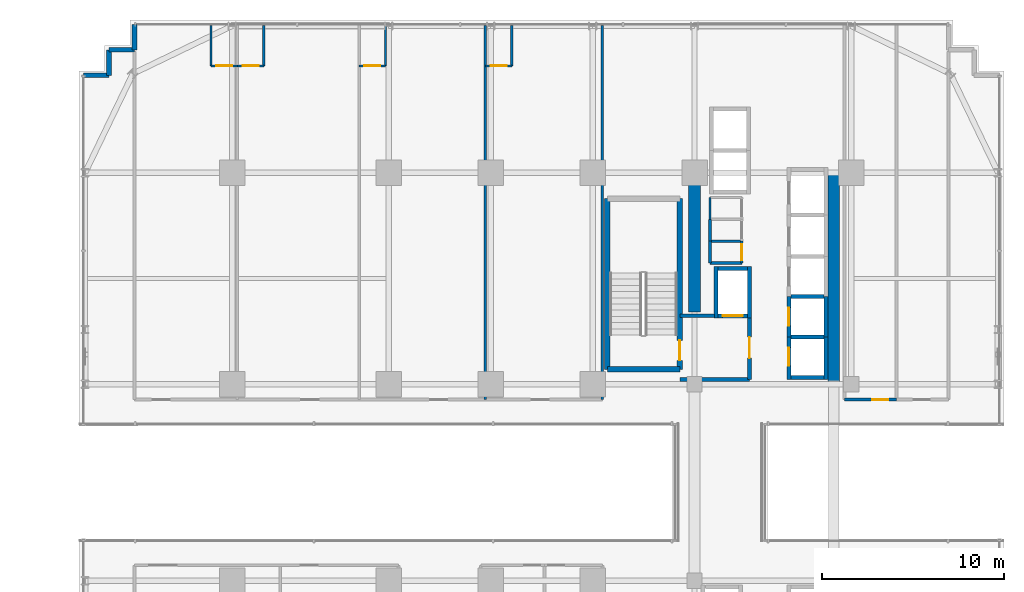
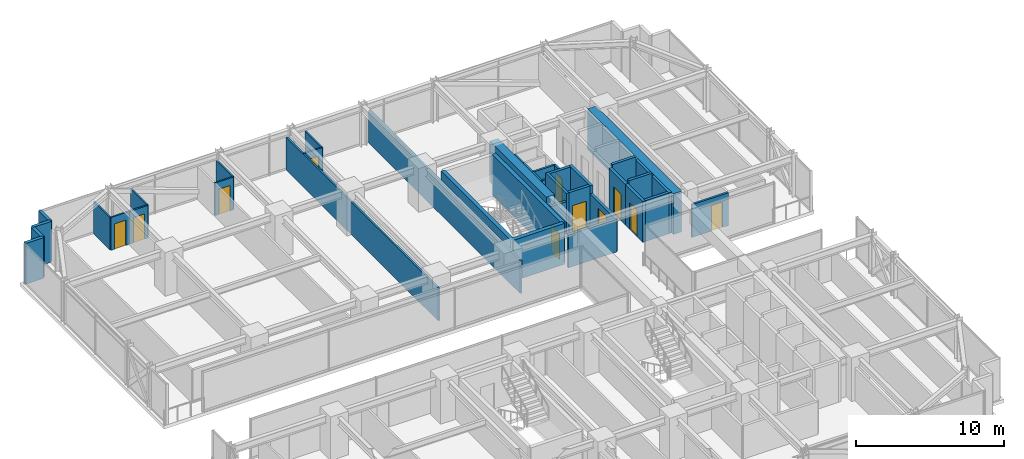
# One storey, part 33 of 37: 40 walls, 11 doors, 11 openings.
"""IFC4 building model written with IfcOpenShell, lengths in metres."""

from ifc_helpers import new_model, si_unit, direction, frame, frame_2d, origin, place, context, subcontext, project, spatial, rectangle, extrude, source, transform, mapped, material, layer, layer_set, type_object, element, fill, save


model = new_model("IFC4")

# Units and contexts
model_context = context("Model", 3, precision=1e-05, world=origin(), true_north=direction((0.0, 1.0)))
body_context = subcontext(model_context, "Body", "Model", "MODEL_VIEW")
ifc_project = project(units=[si_unit("LENGTHUNIT", "METRE"), si_unit("AREAUNIT", "SQUARE_METRE"), si_unit("VOLUMEUNIT", "CUBIC_METRE"), si_unit("PLANEANGLEUNIT", "RADIAN"), si_unit("MASSUNIT", "GRAM", prefix="KILO")], contexts=[model_context])

# Site, building, storey
site_placement = place(None, origin())
site = spatial("IfcSite", under=ifc_project, at=site_placement, CompositionType="ELEMENT")
building_placement = place(site_placement, origin())
building = spatial("IfcBuilding", under=site, at=building_placement, Name="Nahalor Promenade Grand Hotel", CompositionType="ELEMENT")
storey_placement = place(building_placement, frame((0.0, 0.0, 65.25)))
storey = spatial("IfcBuildingStorey", under=building, at=storey_placement, Name="L15", CompositionType="ELEMENT", Elevation=65.25)

# Walls
ifc_material_1 = material(Name="Concrete B-60 (C50/60)", Category="concrete")
ifc_layer_1 = layer(ifc_material_1, 0.64990234375)
ifc_layer_set_1 = layer_set([ifc_layer_1], Name="Concrete B-60 (C50/60)")
wall_type_1 = type_object("IfcWallType", Name="Wall-CoreShear-650", PredefinedType="SHEAR", material=ifc_layer_set_1)
shared_shape_1 = source(origin(), body_context, "Body", "SweptSolid", [
    extrude(rectangle(XDim=7.64990234375, YDim=0.64990234375, at=frame_2d((3.824951171875, 0.0))), origin(), (0.0, 0.0, 1.0), 3.3701171875),
])
wall_1_placement = place(storey_placement, frame((8.39990234375, 9.35009765625, 0.0), z_axis=(0.0, 0.0, 1.0), x_axis=(0.0, 1.0, 0.0)))
element("IfcWall", 1, at=wall_1_placement, inside=storey, type_object=wall_type_1, Name="CWALL-L15-NW", PredefinedType="SHEAR", context=body_context, shape_type="MappedRepresentation", body=[
    mapped(shared_shape_1, transform((0.0, 0.0, 0.0), scale=1.0)),
])
shared_shape_2 = source(origin(), body_context, "Body", "SweptSolid", [
    extrude(rectangle(XDim=11.60009765625, YDim=0.64990234375, at=frame_2d((5.800048828125, 0.0))), origin(), (0.0, 0.0, 1.0), 3.3701171875),
])
wall_2_placement = place(storey_placement, frame((16.050048828125, 5.39990234375, 0.0), z_axis=(0.0, 0.0, 1.0), x_axis=(0.0, 1.0, 0.0)))
element("IfcWall", 2, at=wall_2_placement, inside=storey, type_object=wall_type_1, Name="CWALL-L15-NE", PredefinedType="SHEAR", context=body_context, shape_type="MappedRepresentation", body=[
    mapped(shared_shape_2, transform((0.0, 0.0, 0.0), scale=1.0)),
])
ifc_material_2 = material(Name="Concrete B-50 (C40/50)", Category="concrete")
ifc_layer_2 = layer(ifc_material_2, 0.300048828125)
ifc_layer_set_2 = layer_set([ifc_layer_2], Name="Concrete B-50 (C40/50)")
wall_type_2 = type_object("IfcWallType", Name="Wall-ShaftShear-300", PredefinedType="SHEAR", material=ifc_layer_set_2)
shared_shape_3 = source(origin(), body_context, "Body", "SweptSolid", [
    extrude(rectangle(XDim=3.97998046875, YDim=0.300048828125, at=frame_2d((1.989990234375, 0.0))), origin(), (0.0, 0.0, 1.0), 3.3701171875),
])
wall_3_placement = place(storey_placement, frame((3.610107421875, 6.2099609375, 0.0), z_axis=(0.0, 0.0, 1.0), x_axis=(1.0, 0.0, 0.0)))
element("IfcWall", 3, at=wall_3_placement, inside=storey, type_object=wall_type_2, Name="L15 Exit Stair ST1 Shaft Wall S", PredefinedType="SHEAR", context=body_context, shape_type="MappedRepresentation", body=[
    mapped(shared_shape_3, transform((0.0, 0.0, 0.0), scale=1.0)),
])
shared_shape_4 = source(origin(), body_context, "Body", "SweptSolid", [
    extrude(rectangle(XDim=9.380126953125, YDim=0.300048828125, at=frame_2d((4.68994140625, 0.0))), origin(), (0.0, 0.0, 1.0), 3.3701171875),
])
wall_4_placement = place(storey_placement, frame((3.610107421875, 6.2099609375, 0.0), z_axis=(0.0, 0.0, 1.0), x_axis=(0.0, 1.0, 0.0)))
element("IfcWall", 4, at=wall_4_placement, inside=storey, type_object=wall_type_2, Name="L15 Exit Stair ST1 Shaft Wall W", PredefinedType="SHEAR", context=body_context, shape_type="MappedRepresentation", body=[
    mapped(shared_shape_4, transform((0.0, 0.0, 0.0), scale=1.0)),
])

# Wall, opening, door
wall_5_placement = place(storey_placement, frame((7.590087890625, 6.2099609375, 0.0), z_axis=(0.0, 0.0, 1.0), x_axis=(0.0, 1.0, 0.0)))
wall_5 = element("IfcWall", 5, at=wall_5_placement, inside=storey, type_object=wall_type_2, Name="L15 Exit Stair ST1 Shaft Wall E", PredefinedType="SHEAR", context=body_context, shape_type="MappedRepresentation", body=[
    mapped(shared_shape_4, transform((0.0, 0.0, 0.0), scale=1.0)),
])
opening_1_placement = place(wall_5_placement, frame((0.489990234375, 0.0, 0.0)))
opening_1 = element("IfcOpeningElement", 6, at=opening_1_placement, cuts=wall_5, Name="Opening D-ST1", PredefinedType="OPENING", context=body_context, shape_type="SweptSolid", body=[
    extrude(rectangle(XDim=1.10009765625, YDim=2.14990234375, at=frame_2d((0.550048828125, 1.074951171875))), frame((0.0, 0.159912109375, 0.0), z_axis=(0.0, -1.0, 0.0), x_axis=(1.0, 0.0, 0.0)), (0.0, 0.0, 1.0), 0.320068359375),
])
ifc_material_3 = material(Name="Steel S355JR", Category="steel")
door_type_1 = type_object("IfcDoorType", Name="Door-StairFire-1100", OperationType="NOTDEFINED", PredefinedType="DOOR", material=ifc_material_3)
shared_shape_5 = source(origin(), body_context, "Body", "SweptSolid", [
    extrude(rectangle(XDim=1.10009765625, YDim=2.14990234375, at=frame_2d((0.550048828125, 1.074951171875))), frame((0.0, 0.02490234375, 0.0), z_axis=(0.0, -1.0, 0.0), x_axis=(1.0, 0.0, 0.0)), (0.0, 0.0, 1.0), 0.050048828125),
])
door_1_placement = place(opening_1_placement, origin())
door_1 = element("IfcDoor", 7, at=door_1_placement, inside=storey, type_object=door_type_1, Name="DR-STAIR-ST1-L15", OperationType="SINGLE_SWING_RIGHT", OverallHeight=2.14990234375, OverallWidth=1.10009765625, PredefinedType="DOOR", context=body_context, shape_type="MappedRepresentation", body=[
    mapped(shared_shape_5, transform((0.0, 0.0, 0.0), scale=1.0)),
])
fill(opening_1, door_1)

ifc_layer_3 = layer(ifc_material_2, 0.219970703125)
ifc_layer_set_3 = layer_set([ifc_layer_3], Name="Concrete B-50 (C40/50)")
wall_type_3 = type_object("IfcWallType", Name="Wall-LiftShaft-220", PredefinedType="SHEAR", material=ifc_layer_set_3)
shared_shape_6 = source(origin(), body_context, "Body", "SweptSolid", [
    extrude(rectangle(XDim=2.360107421875, YDim=0.219970703125, at=frame_2d((1.18017578125, 0.0))), origin(), (0.0, 0.0, 1.0), 3.3701171875),
])
wall_6_placement = place(storey_placement, frame((13.580078125, 5.639892578125, 0.0), z_axis=(0.0, 0.0, 1.0), x_axis=(0.0, 1.0, 0.0)))
wall_6 = element("IfcWall", 8, at=wall_6_placement, inside=storey, type_object=wall_type_3, Name="L15 Lift PL1 Hoistway Wall W", PredefinedType="SHEAR", context=body_context, shape_type="MappedRepresentation", body=[
    mapped(shared_shape_6, transform((0.0, 0.0, 0.0), scale=1.0)),
])
opening_2_placement = place(wall_6_placement, frame((0.760009765625, 0.0, 0.0)))
opening_2 = element("IfcOpeningElement", 9, at=opening_2_placement, cuts=wall_6, Name="Opening LD-01", PredefinedType="OPENING", context=body_context, shape_type="SweptSolid", body=[
    extrude(rectangle(XDim=1.0, YDim=2.199951171875, at=frame_2d((0.5, 1.10009765625))), frame((0.0, 0.119873046875, 0.0), z_axis=(0.0, -1.0, 0.0), x_axis=(1.0, 0.0, 0.0)), (0.0, 0.0, 1.0), 0.239990234375),
])
door_type_2 = type_object("IfcDoorType", Name="Door-LiftLanding-1000", OperationType="DOUBLE_DOOR_SLIDING", PredefinedType="DOOR", material=ifc_material_3)
shared_shape_7 = source(origin(), body_context, "Body", "SweptSolid", [
    extrude(rectangle(XDim=1.0, YDim=2.199951171875, at=frame_2d((0.5, 1.10009765625))), frame((0.0, 0.02490234375, 0.0), z_axis=(0.0, -1.0, 0.0), x_axis=(1.0, 0.0, 0.0)), (0.0, 0.0, 1.0), 0.050048828125),
])
door_2_placement = place(opening_2_placement, origin())
door_2 = element("IfcDoor", 10, at=door_2_placement, inside=storey, type_object=door_type_2, Name="DR-LIFT-PL1-L15", OperationType="DOUBLE_DOOR_SLIDING", OverallHeight=2.199951171875, OverallWidth=1.0, PredefinedType="DOOR", context=body_context, shape_type="MappedRepresentation", body=[
    mapped(shared_shape_7, transform((0.0, 0.0, 0.0), scale=1.0)),
])
fill(opening_2, door_2)

# Walls
wall_7_placement = place(storey_placement, frame((15.6201171875, 5.639892578125, 0.0), z_axis=(0.0, 0.0, 1.0), x_axis=(0.0, 1.0, 0.0)))
element("IfcWall", 11, at=wall_7_placement, inside=storey, type_object=wall_type_3, Name="L15 Lift PL1 Hoistway Wall E", PredefinedType="SHEAR", context=body_context, shape_type="MappedRepresentation", body=[
    mapped(shared_shape_6, transform((0.0, 0.0, 0.0), scale=1.0)),
])
shared_shape_8 = source(origin(), body_context, "Body", "SweptSolid", [
    extrude(rectangle(XDim=1.820068359375, YDim=0.219970703125, at=frame_2d((0.91015625, 0.0))), origin(), (0.0, 0.0, 1.0), 3.3701171875),
])
wall_8_placement = place(storey_placement, frame((13.68994140625, 5.75, 0.0), z_axis=(0.0, 0.0, 1.0), x_axis=(1.0, 0.0, 0.0)))
element("IfcWall", 12, at=wall_8_placement, inside=storey, type_object=wall_type_3, Name="L15 Lift PL1 Hoistway Wall S", PredefinedType="SHEAR", context=body_context, shape_type="MappedRepresentation", body=[
    mapped(shared_shape_8, transform((0.0, 0.0, 0.0), scale=1.0)),
])
shared_shape_9 = source(origin(), body_context, "Body", "SweptSolid", [
    extrude(rectangle(XDim=1.820068359375, YDim=0.219970703125, at=frame_2d((0.91015625, 0.0))), origin(), (0.0, 0.0, 1.0), 3.64990234375),
])
for number, where, z_axis, x_axis, name in (
    (13, (13.68994140625, 8.0, 0.0), (0.0, 0.0, 1.0), (1.0, 0.0, 0.0), "L15 Lift PL1 Hoistway Wall N"),
    (14, (13.68994140625, 10.199951171875, 0.0), (0.0, 0.0, 1.0), (1.0, 0.0, 0.0), "L15 Lift PL2 Hoistway Wall N"),
):
    element("IfcWall", number, at=place(storey_placement, frame(where, z_axis=z_axis, x_axis=x_axis)), inside=storey, type_object=wall_type_3, Name=name, PredefinedType="SHEAR", context=body_context, shape_type="MappedRepresentation", body=[
        mapped(shared_shape_9, transform((0.0, 0.0, 0.0), scale=1.0)),
    ])

# Wall, opening, door
shared_shape_10 = source(origin(), body_context, "Body", "SweptSolid", [
    extrude(rectangle(XDim=2.199951171875, YDim=0.219970703125, at=frame_2d((1.10009765625, 0.0))), origin(), (0.0, 0.0, 1.0), 3.3701171875),
])
wall_9_placement = place(storey_placement, frame((13.580078125, 8.0, 0.0), z_axis=(0.0, 0.0, 1.0), x_axis=(0.0, 1.0, 0.0)))
wall_9 = element("IfcWall", 15, at=wall_9_placement, inside=storey, type_object=wall_type_3, Name="L15 Lift PL2 Hoistway Wall W", PredefinedType="SHEAR", context=body_context, shape_type="MappedRepresentation", body=[
    mapped(shared_shape_10, transform((0.0, 0.0, 0.0), scale=1.0)),
])
opening_3_placement = place(wall_9_placement, frame((0.60009765625, 0.0, 0.0)))
opening_3 = element("IfcOpeningElement", 16, at=opening_3_placement, cuts=wall_9, Name="Opening LD-01", PredefinedType="OPENING", context=body_context, shape_type="SweptSolid", body=[
    extrude(rectangle(XDim=1.0, YDim=2.199951171875, at=frame_2d((0.5, 1.10009765625))), frame((0.0, 0.119873046875, 0.0), z_axis=(0.0, -1.0, 0.0), x_axis=(1.0, 0.0, 0.0)), (0.0, 0.0, 1.0), 0.239990234375),
])
door_3_placement = place(opening_3_placement, origin())
door_3 = element("IfcDoor", 17, at=door_3_placement, inside=storey, type_object=door_type_2, Name="DR-LIFT-PL2-L15", OperationType="DOUBLE_DOOR_SLIDING", OverallHeight=2.199951171875, OverallWidth=1.0, PredefinedType="DOOR", context=body_context, shape_type="MappedRepresentation", body=[
    mapped(shared_shape_7, transform((0.0, 0.0, 0.0), scale=1.0)),
])
fill(opening_3, door_3)

# Walls
wall_10_placement = place(storey_placement, frame((15.6201171875, 8.0, 0.0), z_axis=(0.0, 0.0, 1.0), x_axis=(0.0, 1.0, 0.0)))
element("IfcWall", 18, at=wall_10_placement, inside=storey, type_object=wall_type_3, Name="L15 Lift PL2 Hoistway Wall E", PredefinedType="SHEAR", context=body_context, shape_type="MappedRepresentation", body=[
    mapped(shared_shape_10, transform((0.0, 0.0, 0.0), scale=1.0)),
])
shared_shape_11 = source(origin(), body_context, "Body", "SweptSolid", [
    extrude(rectangle(XDim=2.820068359375, YDim=0.219970703125, at=frame_2d((1.41015625, 0.0))), origin(), (0.0, 0.0, 1.0), 3.3701171875),
])
for number, where, z_axis, x_axis, name in (
    (19, (9.580078125, 9.0400390625, 0.0), (0.0, 0.0, 1.0), (0.0, 1.0, 0.0), "L15 Lift FL1 Hoistway Wall W"),
    (20, (11.419921875, 9.0400390625, 0.0), (0.0, 0.0, 1.0), (0.0, 1.0, 0.0), "L15 Lift FL1 Hoistway Wall E"),
):
    element("IfcWall", number, at=place(storey_placement, frame(where, z_axis=z_axis, x_axis=x_axis)), inside=storey, type_object=wall_type_3, Name=name, PredefinedType="SHEAR", context=body_context, shape_type="MappedRepresentation", body=[
        mapped(shared_shape_11, transform((0.0, 0.0, 0.0), scale=1.0)),
    ])

# Wall, opening, door
shared_shape_12 = source(origin(), body_context, "Body", "SweptSolid", [
    extrude(rectangle(XDim=1.6201171875, YDim=0.219970703125, at=frame_2d((0.81005859375, 0.0))), origin(), (0.0, 0.0, 1.0), 3.3701171875),
])
wall_11_placement = place(storey_placement, frame((9.68994140625, 9.14990234375, 0.0), z_axis=(0.0, 0.0, 1.0), x_axis=(1.0, 0.0, 0.0)))
wall_11 = element("IfcWall", 21, at=wall_11_placement, inside=storey, type_object=wall_type_3, Name="L15 Lift FL1 Hoistway Wall S", PredefinedType="SHEAR", context=body_context, shape_type="MappedRepresentation", body=[
    mapped(shared_shape_12, transform((0.0, 0.0, 0.0), scale=1.0)),
])
opening_4_placement = place(wall_11_placement, frame((0.260009765625, 0.0, 0.0)))
opening_4 = element("IfcOpeningElement", 22, at=opening_4_placement, cuts=wall_11, Name="Opening LD-02", PredefinedType="OPENING", context=body_context, shape_type="SweptSolid", body=[
    extrude(rectangle(XDim=1.10009765625, YDim=2.199951171875, at=frame_2d((0.550048828125, 1.10009765625))), frame((0.0, 0.119873046875, 0.0), z_axis=(0.0, -1.0, 0.0), x_axis=(1.0, 0.0, 0.0)), (0.0, 0.0, 1.0), 0.239990234375),
])
door_type_3 = type_object("IfcDoorType", Name="Door-LiftFF-1100", OperationType="DOUBLE_DOOR_SLIDING", PredefinedType="DOOR", material=ifc_material_3)
shared_shape_13 = source(origin(), body_context, "Body", "SweptSolid", [
    extrude(rectangle(XDim=1.10009765625, YDim=2.199951171875, at=frame_2d((0.550048828125, 1.10009765625))), frame((0.0, 0.02490234375, 0.0), z_axis=(0.0, -1.0, 0.0), x_axis=(1.0, 0.0, 0.0)), (0.0, 0.0, 1.0), 0.050048828125),
])
door_4_placement = place(opening_4_placement, frame((1.10009765625, 0.0, 0.0), z_axis=(0.0, 0.0, 1.0), x_axis=(-1.0, 0.0, 0.0)))
door_4 = element("IfcDoor", 23, at=door_4_placement, inside=storey, type_object=door_type_3, Name="DR-LIFT-FL1-L15", OperationType="DOUBLE_DOOR_SLIDING", OverallHeight=2.199951171875, OverallWidth=1.10009765625, PredefinedType="DOOR", context=body_context, shape_type="MappedRepresentation", body=[
    mapped(shared_shape_13, transform((0.0, 0.0, 0.0), scale=1.0)),
])
fill(opening_4, door_4)

# Walls
wall_12_placement = place(storey_placement, frame((9.68994140625, 11.75, 0.0), z_axis=(0.0, 0.0, 1.0), x_axis=(1.0, 0.0, 0.0)))
element("IfcWall", 24, at=wall_12_placement, inside=storey, type_object=wall_type_3, Name="L15 Lift FL1 Hoistway Wall N", PredefinedType="SHEAR", context=body_context, shape_type="MappedRepresentation", body=[
    mapped(shared_shape_12, transform((0.0, 0.0, 0.0), scale=1.0)),
])
ifc_material_4 = material(Name="Concrete B-40 (C32/40)", Category="concrete")
ifc_layer_4 = layer(ifc_material_4, 0.25)
ifc_layer_set_4 = layer_set([ifc_layer_4], Name="Concrete B-40 (C32/40)")
wall_type_4 = type_object("IfcWallType", Name="Wall-BronzePier-250", PredefinedType="STANDARD", material=ifc_layer_set_4)
shared_shape_14 = source(origin(), body_context, "Body", "SweptSolid", [
    extrude(rectangle(XDim=1.39990234375, YDim=0.25, at=frame_2d((0.699951171875, 0.0))), origin(), (0.0, 0.0, 1.0), 3.3701171875),
])
for number, where, z_axis, x_axis, name in (
    (25, (-22.360107421875, 23.760009765625, 0.0), (0.0, 0.0, 1.0), (0.0, 1.0, 0.0), "W-L15-SR-09"),
    (26, (-23.760009765625, 23.760009765625, 0.0), (0.0, 0.0, 1.0), (1.0, 0.0, 0.0), "W-L15-SR-10"),
    (27, (-23.760009765625, 22.360107421875, 0.0), (0.0, 0.0, 1.0), (0.0, 1.0, 0.0), "W-L15-SR-11"),
    (28, (-25.159912109375, 22.360107421875, 0.0), (0.0, 0.0, 1.0), (1.0, 0.0, 0.0), "W-L15-SR-12"),
):
    element("IfcWall", number, at=place(storey_placement, frame(where, z_axis=z_axis, x_axis=x_axis)), inside=storey, type_object=wall_type_4, Name=name, PredefinedType="STANDARD", context=body_context, shape_type="MappedRepresentation", body=[
        mapped(shared_shape_14, transform((0.0, 0.0, 0.0), scale=1.0)),
    ])
ifc_layer_5 = layer(ifc_material_4, 0.199951171875)
ifc_layer_set_5 = layer_set([ifc_layer_5], Name="Concrete B-40 (C32/40)")
wall_type_5 = type_object("IfcWallType", Name="Wall-PartFire-200", PredefinedType="PARTITIONING", material=ifc_layer_set_5)
shared_shape_15 = source(origin(), body_context, "Body", "SweptSolid", [
    extrude(rectangle(XDim=3.81982421875, YDim=0.199951171875, at=frame_2d((1.909912109375, 0.0))), origin(), (0.0, 0.0, 1.0), 2.7099609375),
])
wall_13_placement = place(storey_placement, frame((7.60009765625, 5.64990234375, 0.0), z_axis=(0.0, 0.0, 1.0), x_axis=(1.0, 0.0, 0.0)))
element("IfcWall", 29, at=wall_13_placement, inside=storey, type_object=wall_type_5, Name="W-L15-FF1-S", PredefinedType="PARTITIONING", context=body_context, shape_type="MappedRepresentation", body=[
    mapped(shared_shape_15, transform((0.0, 0.0, 0.0), scale=1.0)),
])
shared_shape_16 = source(origin(), body_context, "Body", "SweptSolid", [
    extrude(rectangle(XDim=1.89990234375, YDim=0.199951171875, at=frame_2d((0.949951171875, 0.0))), origin(), (0.0, 0.0, 1.0), 2.7099609375),
])
wall_14_placement = place(storey_placement, frame((7.60009765625, 9.14990234375, 0.0), z_axis=(0.0, 0.0, 1.0), x_axis=(1.0, 0.0, 0.0)))
element("IfcWall", 30, at=wall_14_placement, inside=storey, type_object=wall_type_5, Name="W-L15-FF1-N", PredefinedType="PARTITIONING", context=body_context, shape_type="MappedRepresentation", body=[
    mapped(shared_shape_16, transform((0.0, 0.0, 0.0), scale=1.0)),
])

# Wall, opening, door
shared_shape_17 = source(origin(), body_context, "Body", "SweptSolid", [
    extrude(rectangle(XDim=3.5, YDim=0.199951171875, at=frame_2d((1.75, 0.0))), origin(), (0.0, 0.0, 1.0), 2.7099609375),
])
wall_15_placement = place(storey_placement, frame((11.419921875, 5.64990234375, 0.0), z_axis=(0.0, 0.0, 1.0), x_axis=(0.0, 1.0, 0.0)))
wall_15 = element("IfcWall", 31, at=wall_15_placement, inside=storey, type_object=wall_type_5, Name="W-L15-FF1-E", PredefinedType="PARTITIONING", context=body_context, shape_type="MappedRepresentation", body=[
    mapped(shared_shape_17, transform((0.0, 0.0, 0.0), scale=1.0)),
])
opening_5_placement = place(wall_15_placement, frame((1.175048828125, 0.0, 0.0)))
opening_5 = element("IfcOpeningElement", 32, at=opening_5_placement, cuts=wall_15, Name="Opening D-FF1", PredefinedType="OPENING", context=body_context, shape_type="SweptSolid", body=[
    extrude(rectangle(XDim=1.14990234375, YDim=2.14990234375, at=frame_2d((0.574951171875, 1.074951171875))), frame((0.0, 0.10986328125, 0.0), z_axis=(0.0, -1.0, 0.0), x_axis=(1.0, 0.0, 0.0)), (0.0, 0.0, 1.0), 0.219970703125),
])
door_type_4 = type_object("IfcDoorType", Name="Door-FFLobby-1150", OperationType="NOTDEFINED", PredefinedType="DOOR", material=ifc_material_3)
shared_shape_18 = source(origin(), body_context, "Body", "SweptSolid", [
    extrude(rectangle(XDim=1.14990234375, YDim=2.14990234375, at=frame_2d((0.574951171875, 1.074951171875))), frame((0.0, 0.02490234375, 0.0), z_axis=(0.0, -1.0, 0.0), x_axis=(1.0, 0.0, 0.0)), (0.0, 0.0, 1.0), 0.050048828125),
])
door_5_placement = place(opening_5_placement, frame((1.14990234375, 0.0, 0.0), z_axis=(0.0, 0.0, 1.0), x_axis=(-1.0, 0.0, 0.0)))
door_5 = element("IfcDoor", 33, at=door_5_placement, inside=storey, type_object=door_type_4, Name="DR-L15-FFL1", OperationType="SINGLE_SWING_LEFT", OverallHeight=2.14990234375, OverallWidth=1.14990234375, PredefinedType="DOOR", context=body_context, shape_type="MappedRepresentation", body=[
    mapped(shared_shape_18, transform((0.0, 0.0, 0.0), scale=1.0)),
])
fill(opening_5, door_5)

# Walls
ifc_material_5 = material(Name="Acoustic Mineral Gypsum", Category="gypsum")
ifc_layer_6 = layer(ifc_material_5, 0.14990234375)
ifc_layer_set_6 = layer_set([ifc_layer_6], Name="Acoustic Mineral Gypsum")
wall_type_6 = type_object("IfcWallType", Name="Wall-PartService-150", PredefinedType="PARTITIONING", material=ifc_layer_set_6)
shared_shape_19 = source(origin(), body_context, "Body", "SweptSolid", [
    extrude(rectangle(XDim=1.75, YDim=0.14990234375, at=frame_2d((0.875, 0.0))), origin(), (0.0, 0.0, 1.0), 2.7099609375),
])
for number, where, z_axis, x_axis, name in (
    (34, (9.25, 12.050048828125, 0.0), (0.0, 0.0, 1.0), (1.0, 0.0, 0.0), "W-L15-CK3A-S"),
    (35, (9.25, 13.25, 0.0), (0.0, 0.0, 1.0), (1.0, 0.0, 0.0), "W-L15-CK3A-N"),
):
    element("IfcWall", number, at=place(storey_placement, frame(where, z_axis=z_axis, x_axis=x_axis)), inside=storey, type_object=wall_type_6, Name=name, PredefinedType="PARTITIONING", context=body_context, shape_type="MappedRepresentation", body=[
        mapped(shared_shape_19, transform((0.0, 0.0, 0.0), scale=1.0)),
    ])
ifc_layer_7 = layer(ifc_material_5, 0.139892578125)
ifc_layer_set_7 = layer_set([ifc_layer_7], Name="Acoustic Mineral Gypsum")
wall_type_7 = type_object("IfcWallType", Name="Wall-PartSuite-140", PredefinedType="PARTITIONING", material=ifc_layer_set_7)
shared_shape_20 = source(origin(), body_context, "Body", "SweptSolid", [
    extrude(rectangle(XDim=20.550048828125, YDim=0.139892578125, at=frame_2d((10.27490234375, 0.0))), origin(), (0.0, 0.0, 1.0), 2.7099609375),
])
for number, where, z_axis, x_axis, name in (
    (36, (3.340087890625, 4.550048828125, 0.0), (0.0, 0.0, 1.0), (0.0, 1.0, 0.0), "W-L15-NW-ENDE"),
    (37, (-3.0849609375, 4.550048828125, 0.0), (0.0, 0.0, 1.0), (0.0, 1.0, 0.0), "W-L15-NP-3"),
):
    element("IfcWall", number, at=place(storey_placement, frame(where, z_axis=z_axis, x_axis=x_axis)), inside=storey, type_object=wall_type_7, Name=name, PredefinedType="PARTITIONING", context=body_context, shape_type="MappedRepresentation", body=[
        mapped(shared_shape_20, transform((0.0, 0.0, 0.0), scale=1.0)),
    ])
ifc_layer_8 = layer(ifc_material_5, 0.1201171875)
ifc_layer_set_8 = layer_set([ifc_layer_8], Name="Acoustic Mineral Gypsum")
wall_type_8 = type_object("IfcWallType", Name="Wall-PartBath-120", PredefinedType="PARTITIONING", material=ifc_layer_set_8)
shared_shape_21 = source(origin(), body_context, "Body", "SweptSolid", [
    extrude(rectangle(XDim=2.22021484375, YDim=0.1201171875, at=frame_2d((1.110107421875, 0.0))), origin(), (0.0, 0.0, 1.0), 2.7099609375),
])
for number, where, z_axis, x_axis, name in (
    (38, (-18.156005859375, 22.8798828125, 0.0), (0.0, 0.0, 1.0), (0.0, 1.0, 0.0), "W-L15-N1-BV"),
    (39, (-15.256103515625, 22.8798828125, 0.0), (0.0, 0.0, 1.0), (0.0, 1.0, 0.0), "W-L15-N2-BV"),
    (40, (-8.573974609375, 22.8798828125, 0.0), (0.0, 0.0, 1.0), (0.0, 1.0, 0.0), "W-L15-N3-BV"),
    (41, (-1.635009765625, 22.8798828125, 0.0), (0.0, 0.0, 1.0), (0.0, 1.0, 0.0), "W-L15-N4-BV"),
):
    element("IfcWall", number, at=place(storey_placement, frame(where, z_axis=z_axis, x_axis=x_axis)), inside=storey, type_object=wall_type_8, Name=name, PredefinedType="PARTITIONING", context=body_context, shape_type="MappedRepresentation", body=[
        mapped(shared_shape_21, transform((0.0, 0.0, 0.0), scale=1.0)),
    ])

# Wall, opening, door
shared_shape_22 = source(origin(), body_context, "Body", "SweptSolid", [
    extrude(rectangle(XDim=1.449951171875, YDim=0.1201171875, at=frame_2d((0.72509765625, 0.0))), origin(), (0.0, 0.0, 1.0), 2.7099609375),
])
wall_16_placement = place(storey_placement, frame((-18.156005859375, 22.8798828125, 0.0), z_axis=(0.0, 0.0, 1.0), x_axis=(1.0, 0.0, 0.0)))
wall_16 = element("IfcWall", 42, at=wall_16_placement, inside=storey, type_object=wall_type_8, Name="W-L15-N1-BH", PredefinedType="PARTITIONING", context=body_context, shape_type="MappedRepresentation", body=[
    mapped(shared_shape_22, transform((0.0, 0.0, 0.0), scale=1.0)),
])
opening_6_placement = place(wall_16_placement, frame((0.284912109375, 0.0, 0.0)))
opening_6 = element("IfcOpeningElement", 43, at=opening_6_placement, cuts=wall_16, Name="Opening D-03", PredefinedType="OPENING", context=body_context, shape_type="SweptSolid", body=[
    extrude(rectangle(XDim=0.8798828125, YDim=2.10009765625, at=frame_2d((0.43994140625, 1.050048828125))), frame((0.0, 0.070068359375, 0.0), z_axis=(0.0, -1.0, 0.0), x_axis=(1.0, 0.0, 0.0)), (0.0, 0.0, 1.0), 0.14013671875),
])
ifc_material_6 = material(Name="Fire-Rated Timber Composite", Category="wood")
door_type_5 = type_object("IfcDoorType", Name="Door-BathSwing-880", OperationType="NOTDEFINED", PredefinedType="DOOR", material=ifc_material_6)
shared_shape_23 = source(origin(), body_context, "Body", "SweptSolid", [
    extrude(rectangle(XDim=0.8798828125, YDim=2.10009765625, at=frame_2d((0.43994140625, 1.050048828125))), frame((0.0, 0.02490234375, 0.0), z_axis=(0.0, -1.0, 0.0), x_axis=(1.0, 0.0, 0.0)), (0.0, 0.0, 1.0), 0.050048828125),
])
door_6_placement = place(opening_6_placement, origin())
door_6 = element("IfcDoor", 44, at=door_6_placement, inside=storey, type_object=door_type_5, Name="DR-L15-N1-BATH", OperationType="SINGLE_SWING_RIGHT", OverallHeight=2.10009765625, OverallWidth=0.8798828125, PredefinedType="DOOR", context=body_context, shape_type="MappedRepresentation", body=[
    mapped(shared_shape_23, transform((0.0, 0.0, 0.0), scale=1.0)),
])
fill(opening_6, door_6)

wall_17_placement = place(storey_placement, frame((-16.7060546875, 22.8798828125, 0.0), z_axis=(0.0, 0.0, 1.0), x_axis=(1.0, 0.0, 0.0)))
wall_17 = element("IfcWall", 45, at=wall_17_placement, inside=storey, type_object=wall_type_8, Name="W-L15-N2-BH", PredefinedType="PARTITIONING", context=body_context, shape_type="MappedRepresentation", body=[
    mapped(shared_shape_22, transform((0.0, 0.0, 0.0), scale=1.0)),
])
opening_7_placement = place(wall_17_placement, frame((0.284912109375, 0.0, 0.0)))
opening_7 = element("IfcOpeningElement", 46, at=opening_7_placement, cuts=wall_17, Name="Opening D-03", PredefinedType="OPENING", context=body_context, shape_type="SweptSolid", body=[
    extrude(rectangle(XDim=0.8798828125, YDim=2.10009765625, at=frame_2d((0.43994140625, 1.050048828125))), frame((0.0, 0.070068359375, 0.0), z_axis=(0.0, -1.0, 0.0), x_axis=(1.0, 0.0, 0.0)), (0.0, 0.0, 1.0), 0.14013671875),
])
door_7_placement = place(opening_7_placement, origin())
door_7 = element("IfcDoor", 47, at=door_7_placement, inside=storey, type_object=door_type_5, Name="DR-L15-N2-BATH", OperationType="SINGLE_SWING_RIGHT", OverallHeight=2.10009765625, OverallWidth=0.8798828125, PredefinedType="DOOR", context=body_context, shape_type="MappedRepresentation", body=[
    mapped(shared_shape_23, transform((0.0, 0.0, 0.0), scale=1.0)),
])
fill(opening_7, door_7)

wall_18_placement = place(storey_placement, frame((-10.02392578125, 22.8798828125, 0.0), z_axis=(0.0, 0.0, 1.0), x_axis=(1.0, 0.0, 0.0)))
wall_18 = element("IfcWall", 48, at=wall_18_placement, inside=storey, type_object=wall_type_8, Name="W-L15-N3-BH", PredefinedType="PARTITIONING", context=body_context, shape_type="MappedRepresentation", body=[
    mapped(shared_shape_22, transform((0.0, 0.0, 0.0), scale=1.0)),
])
opening_8_placement = place(wall_18_placement, frame((0.284912109375, 0.0, 0.0)))
opening_8 = element("IfcOpeningElement", 49, at=opening_8_placement, cuts=wall_18, Name="Opening D-03", PredefinedType="OPENING", context=body_context, shape_type="SweptSolid", body=[
    extrude(rectangle(XDim=0.8798828125, YDim=2.10009765625, at=frame_2d((0.43994140625, 1.050048828125))), frame((0.0, 0.070068359375, 0.0), z_axis=(0.0, -1.0, 0.0), x_axis=(1.0, 0.0, 0.0)), (0.0, 0.0, 1.0), 0.14013671875),
])
door_8_placement = place(opening_8_placement, origin())
door_8 = element("IfcDoor", 50, at=door_8_placement, inside=storey, type_object=door_type_5, Name="DR-L15-N3-BATH", OperationType="SINGLE_SWING_RIGHT", OverallHeight=2.10009765625, OverallWidth=0.8798828125, PredefinedType="DOOR", context=body_context, shape_type="MappedRepresentation", body=[
    mapped(shared_shape_23, transform((0.0, 0.0, 0.0), scale=1.0)),
])
fill(opening_8, door_8)

wall_19_placement = place(storey_placement, frame((-3.0849609375, 22.8798828125, 0.0), z_axis=(0.0, 0.0, 1.0), x_axis=(1.0, 0.0, 0.0)))
wall_19 = element("IfcWall", 51, at=wall_19_placement, inside=storey, type_object=wall_type_8, Name="W-L15-N4-BH", PredefinedType="PARTITIONING", context=body_context, shape_type="MappedRepresentation", body=[
    mapped(shared_shape_22, transform((0.0, 0.0, 0.0), scale=1.0)),
])
opening_9_placement = place(wall_19_placement, frame((0.284912109375, 0.0, 0.0)))
opening_9 = element("IfcOpeningElement", 52, at=opening_9_placement, cuts=wall_19, Name="Opening D-03", PredefinedType="OPENING", context=body_context, shape_type="SweptSolid", body=[
    extrude(rectangle(XDim=0.8798828125, YDim=2.10009765625, at=frame_2d((0.43994140625, 1.050048828125))), frame((0.0, 0.070068359375, 0.0), z_axis=(0.0, -1.0, 0.0), x_axis=(1.0, 0.0, 0.0)), (0.0, 0.0, 1.0), 0.14013671875),
])
door_9_placement = place(opening_9_placement, origin())
door_9 = element("IfcDoor", 53, at=door_9_placement, inside=storey, type_object=door_type_5, Name="DR-L15-N4-BATH", OperationType="SINGLE_SWING_RIGHT", OverallHeight=2.10009765625, OverallWidth=0.8798828125, PredefinedType="DOOR", context=body_context, shape_type="MappedRepresentation", body=[
    mapped(shared_shape_23, transform((0.0, 0.0, 0.0), scale=1.0)),
])
fill(opening_9, door_9)

# Wall
shared_shape_24 = source(origin(), body_context, "Body", "SweptSolid", [
    extrude(rectangle(XDim=1.199951171875, YDim=0.14990234375, at=frame_2d((0.60009765625, 0.0))), origin(), (0.0, 0.0, 1.0), 2.7099609375),
])
wall_20_placement = place(storey_placement, frame((9.25, 12.050048828125, 0.0), z_axis=(0.0, 0.0, 1.0), x_axis=(0.0, 1.0, 0.0)))
element("IfcWall", 54, at=wall_20_placement, inside=storey, type_object=wall_type_6, Name="W-L15-CK3A-W", PredefinedType="PARTITIONING", context=body_context, shape_type="MappedRepresentation", body=[
    mapped(shared_shape_24, transform((0.0, 0.0, 0.0), scale=1.0)),
])

# Wall, opening, door
wall_21_placement = place(storey_placement, frame((11.0, 12.050048828125, 0.0), z_axis=(0.0, 0.0, 1.0), x_axis=(0.0, 1.0, 0.0)))
wall_21 = element("IfcWall", 55, at=wall_21_placement, inside=storey, type_object=wall_type_6, Name="W-L15-CK3A-E", PredefinedType="PARTITIONING", context=body_context, shape_type="MappedRepresentation", body=[
    mapped(shared_shape_24, transform((0.0, 0.0, 0.0), scale=1.0)),
])
opening_10_placement = place(wall_21_placement, frame((0.159912109375, 0.0, 0.0)))
opening_10 = element("IfcOpeningElement", 56, at=opening_10_placement, cuts=wall_21, Name="Opening D-03", PredefinedType="OPENING", context=body_context, shape_type="SweptSolid", body=[
    extrude(rectangle(XDim=0.8798828125, YDim=2.10009765625, at=frame_2d((0.43994140625, 1.050048828125))), frame((0.0, 0.0849609375, 0.0), z_axis=(0.0, -1.0, 0.0), x_axis=(1.0, 0.0, 0.0)), (0.0, 0.0, 1.0), 0.169921875),
])
door_10_placement = place(opening_10_placement, origin())
door_10 = element("IfcDoor", 57, at=door_10_placement, inside=storey, type_object=door_type_5, Name="DR-L15-CK3A", OperationType="SINGLE_SWING_LEFT", OverallHeight=2.10009765625, OverallWidth=0.8798828125, PredefinedType="DOOR", context=body_context, shape_type="MappedRepresentation", body=[
    mapped(shared_shape_23, transform((0.0, 0.0, 0.0), scale=1.0)),
])
fill(opening_10, door_10)

# Walls
wall_22_placement = place(storey_placement, frame((9.25, 13.25, 0.0), z_axis=(0.0, 0.0, 1.0), x_axis=(0.0, 1.0, 0.0)))
element("IfcWall", 58, at=wall_22_placement, inside=storey, type_object=wall_type_6, Name="W-L15-CK3B-W", PredefinedType="PARTITIONING", context=body_context, shape_type="MappedRepresentation", body=[
    mapped(shared_shape_24, transform((0.0, 0.0, 0.0), scale=1.0)),
])
shared_shape_25 = source(origin(), body_context, "Body", "SweptSolid", [
    extrude(rectangle(XDim=1.199951171875, YDim=0.1201171875, at=frame_2d((0.60009765625, 0.0))), origin(), (0.0, 0.0, 1.0), 2.7099609375),
])
wall_23_placement = place(storey_placement, frame((9.25, 14.449951171875, 0.0), z_axis=(0.0, 0.0, 1.0), x_axis=(0.0, 1.0, 0.0)))
element("IfcWall", 59, at=wall_23_placement, inside=storey, type_object=wall_type_8, Name="W-L15-CK3C-W", PredefinedType="PARTITIONING", context=body_context, shape_type="MappedRepresentation", body=[
    mapped(shared_shape_25, transform((0.0, 0.0, 0.0), scale=1.0)),
])

# Wall, opening, door
ifc_layer_9 = layer(ifc_material_5, 0.159912109375)
ifc_layer_set_9 = layer_set([ifc_layer_9], Name="Acoustic Mineral Gypsum")
wall_type_9 = type_object("IfcWallType", Name="Wall-PartCorridor-160", PredefinedType="PARTITIONING", material=ifc_layer_set_9)
shared_shape_26 = source(origin(), body_context, "Body", "SweptSolid", [
    extrude(rectangle(XDim=2.85498046875, YDim=0.159912109375, at=frame_2d((1.427490234375, 0.0))), origin(), (0.0, 0.0, 1.0), 2.7099609375),
])
wall_24_placement = place(storey_placement, frame((16.64990234375, 4.550048828125, 0.0), z_axis=(0.0, 0.0, 1.0), x_axis=(1.0, 0.0, 0.0)))
wall_24 = element("IfcWall", 60, at=wall_24_placement, inside=storey, type_object=wall_type_9, Name="W-L15-ENE1-S", PredefinedType="PARTITIONING", context=body_context, shape_type="MappedRepresentation", body=[
    mapped(shared_shape_26, transform((0.0, 0.0, 0.0), scale=1.0)),
])
opening_11_placement = place(wall_24_placement, frame((1.510986328125, 0.0, 0.0)))
opening_11 = element("IfcOpeningElement", 61, at=opening_11_placement, cuts=wall_24, Name="Opening D-03", PredefinedType="OPENING", context=body_context, shape_type="SweptSolid", body=[
    extrude(rectangle(XDim=0.8798828125, YDim=2.10009765625, at=frame_2d((0.43994140625, 1.050048828125))), frame((0.0, 0.08984375, 0.0), z_axis=(0.0, -1.0, 0.0), x_axis=(1.0, 0.0, 0.0)), (0.0, 0.0, 1.0), 0.179931640625),
])
door_11_placement = place(opening_11_placement, origin())
door_11 = element("IfcDoor", 62, at=door_11_placement, inside=storey, type_object=door_type_5, Name="DR-L15-ENE1", OperationType="SINGLE_SWING_RIGHT", OverallHeight=2.10009765625, OverallWidth=0.8798828125, PredefinedType="DOOR", context=body_context, shape_type="MappedRepresentation", body=[
    mapped(shared_shape_23, transform((0.0, 0.0, 0.0), scale=1.0)),
])
fill(opening_11, door_11)

save(model, "model.ifc")
